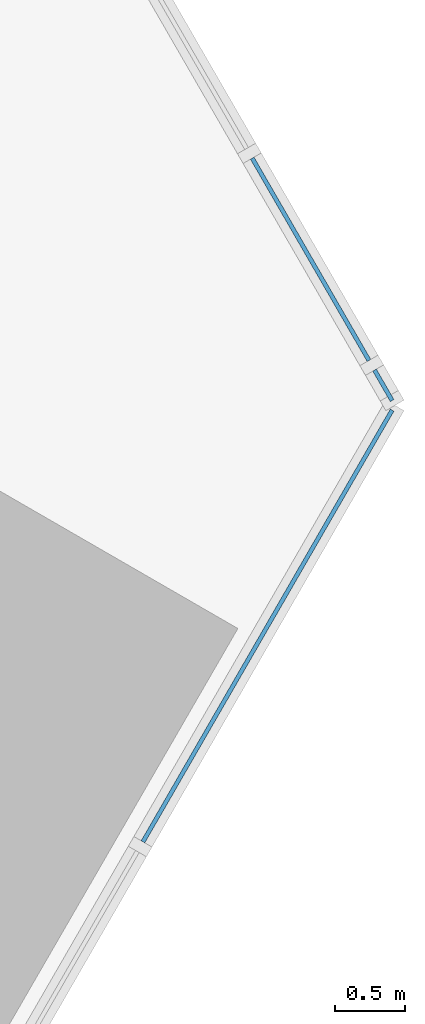
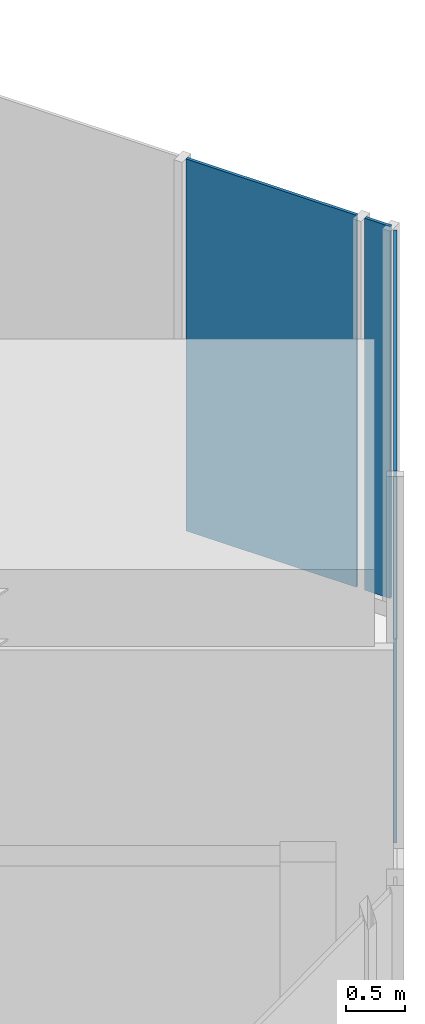
# One storey, part 22 of 29: 3 plates, 2 elements without a shape of their own.
"""IFC4 building model written with IfcOpenShell, lengths in metres."""

from ifc_helpers import new_model, si_unit, direction, frame, origin, place, context, subcontext, project, spatial, polyline, outline, extrude, material, layer, layer_set, type_object, element, aggregate, save


model = new_model("IFC4")

# Units and contexts
model_context = context("Model", 3, precision=1e-05, world=origin(), true_north=direction((0.0, 1.0)))
body_context = subcontext(model_context, "Body", "Model", "MODEL_VIEW")
ifc_project = project(units=[si_unit("LENGTHUNIT", "METRE"), si_unit("AREAUNIT", "SQUARE_METRE"), si_unit("VOLUMEUNIT", "CUBIC_METRE"), si_unit("PLANEANGLEUNIT", "RADIAN"), si_unit("MASSUNIT", "GRAM", prefix="KILO")], contexts=[model_context])

# Site, building, storey
site_placement = place(None, origin())
site = spatial("IfcSite", under=ifc_project, at=site_placement, CompositionType="ELEMENT")
building_placement = place(site_placement, origin())
building = spatial("IfcBuilding", under=site, at=building_placement, Name="Firuza Gate Tower and Library", CompositionType="ELEMENT")
storey_placement = place(building_placement, frame((0.0, 0.0, 44.199951171875)))
storey = spatial("IfcBuildingStorey", under=building, at=storey_placement, Name="L09", CompositionType="ELEMENT", Elevation=44.199951171875)

# Curtain wall, plate
ifc_material_1 = material(Name="Aluminium 6063-T6", Category="aluminium")
ifc_layer_1 = layer(ifc_material_1, 0.14990234375)
ifc_layer_set_1 = layer_set([ifc_layer_1], Name="Corner curtain wall, chamfers")
curtain_wall_type_1 = type_object("IfcCurtainWallType", Name="Corner curtain wall, chamfers", PredefinedType="NOTDEFINED", material=ifc_layer_set_1)
placement = place(storey_placement, origin())
curtain_wall_1 = element("IfcCurtainWall", 1, at=placement, inside=storey, type_object=curtain_wall_type_1, Name="CW4 L09 SE corner", PredefinedType="NOTDEFINED")
ifc_material_2 = material(Name="Fritted glass", Category="glass")
ifc_layer_2 = layer(ifc_material_2, 0.030029296875)
ifc_layer_set_2 = layer_set([ifc_layer_2], Name="Fritted glass unit, corners")
plate_type_1 = type_object("IfcPlateType", Name="Fritted glass unit, corners", PredefinedType="CURTAIN_PANEL", material=ifc_layer_set_2)
plate_1_placement = place(storey_placement, frame((105.697998046875, 57.32275390625, 0.150146484375), z_axis=(0.866046390552, -0.49996364809, 0.0), x_axis=(0.49996364809, 0.866046390552, 0.0)))
plate_1 = element("IfcPlate", 2, at=plate_1_placement, type_object=plate_type_1, Name="Glass unit", PredefinedType="CURTAIN_PANEL", context=body_context, shape_type="SweptSolid", body=[
    extrude(outline(polyline([(0.0, 0.0), (3.563247342942594, 0.0), (3.563247342942594, 3.849853515625), (0.0, 3.849853515625), (0.0, 0.0)])), origin(), (0.0, 0.0, -1.0), 0.030029296875),
])
aggregate(curtain_wall_1, [plate_1])

# Curtain wall, plates
ifc_material_3 = material(Name="Aluminium 6063-T6", Category="aluminium")
ifc_layer_3 = layer(ifc_material_3, 0.14990234375)
ifc_layer_set_3 = layer_set([ifc_layer_3], Name="Unitised curtain wall, offices")
curtain_wall_type_2 = type_object("IfcCurtainWallType", Name="Unitised curtain wall, offices", PredefinedType="NOTDEFINED", material=ifc_layer_set_3)
curtain_wall_2 = element("IfcCurtainWall", 3, at=placement, inside=storey, type_object=curtain_wall_type_2, Name="CW1 L09 E face", PredefinedType="NOTDEFINED")
ifc_material_4 = material(Name="Fritted glass", Category="glass")
ifc_layer_4 = layer(ifc_material_4, 0.030029296875)
ifc_layer_set_4 = layer_set([ifc_layer_4], Name="Fritted glass unit, offices")
plate_type_2 = type_object("IfcPlateType", Name="Fritted glass unit, offices", PredefinedType="CURTAIN_PANEL", material=ifc_layer_set_4)
plate_2_placement = place(storey_placement, frame((107.31396484375, 60.77978515625, 0.150146484375), z_axis=(0.866066280188, 0.499929193308, 0.0), x_axis=(-0.499929193308, 0.866066280188, 0.0)))
plate_2 = element("IfcPlate", 4, at=plate_2_placement, type_object=plate_type_2, Name="Glass unit", PredefinedType="CURTAIN_PANEL", context=body_context, shape_type="SweptSolid", body=[
    extrude(outline(polyline([(0.0, 0.0), (1.669670041375162, 0.0), (1.669670041375162, 3.849853515625), (0.0, 3.849853515625), (0.0, 0.0)])), origin(), (0.0, 0.0, -1.0), 0.030029296875),
])
ifc_material_5 = material(Name="Glazed ceramic tile")
ifc_layer_5 = layer(ifc_material_5, 0.030029296875)
ifc_layer_set_5 = layer_set([ifc_layer_5], Name="Opaque ceramic panel, offices")
plate_type_3 = type_object("IfcPlateType", Name="Opaque ceramic panel, offices", PredefinedType="CURTAIN_PANEL", material=ifc_layer_set_5)
plate_3_placement = place(storey_placement, frame((107.4794921875, 60.492919921875, 0.150146484375), z_axis=(0.866201770413, 0.499694399542, 0.0), x_axis=(-0.499694399542, 0.866201770413, 0.0)))
plate_3 = element("IfcPlate", 5, at=plate_3_placement, type_object=plate_type_3, Name="Opaque ceramic panel", PredefinedType="CURTAIN_PANEL", context=body_context, shape_type="SweptSolid", body=[
    extrude(outline(polyline([(0.0, 0.0), (0.25113005341856437, 0.0), (0.25113005341856437, 3.849853515625), (0.0, 3.849853515625), (0.0, 0.0)])), origin(), (0.0, 0.0, -1.0), 0.030029296875),
])
aggregate(curtain_wall_2, [plate_3, plate_2])

save(model, "model.ifc")
